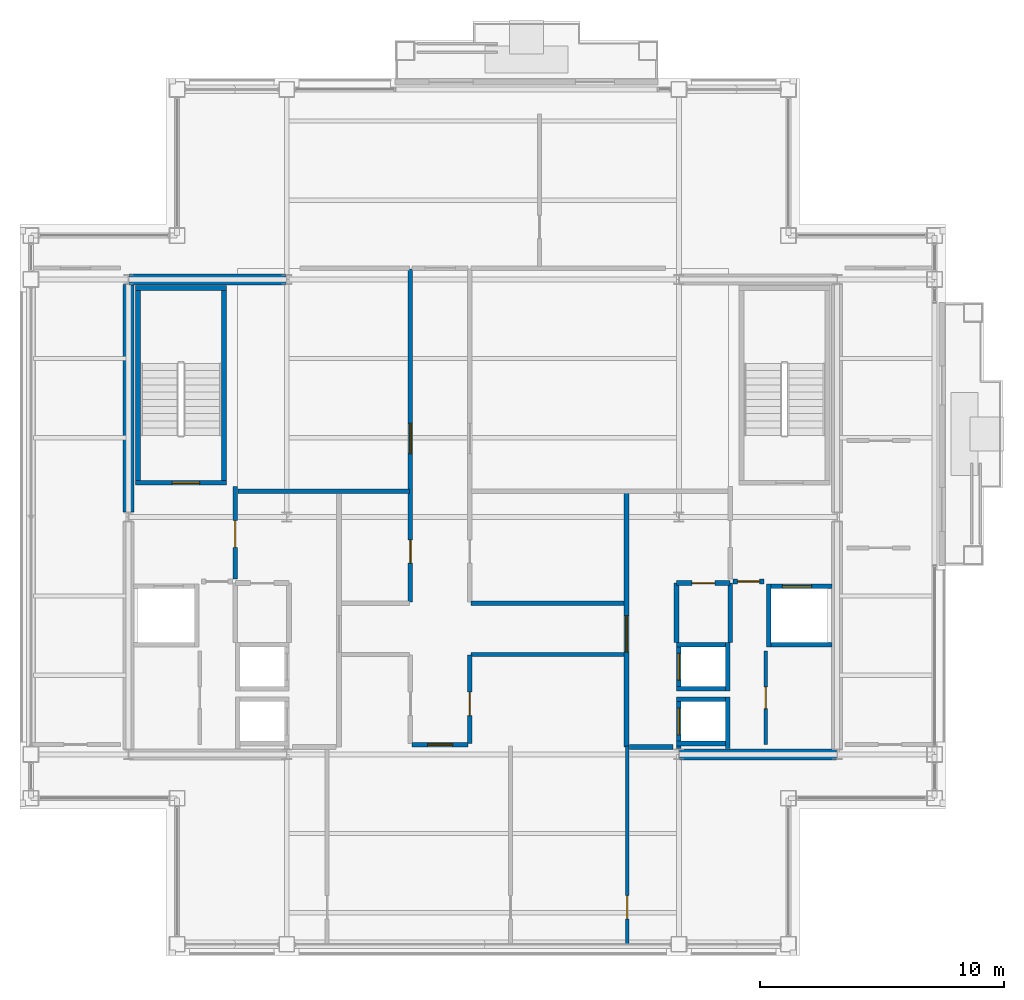
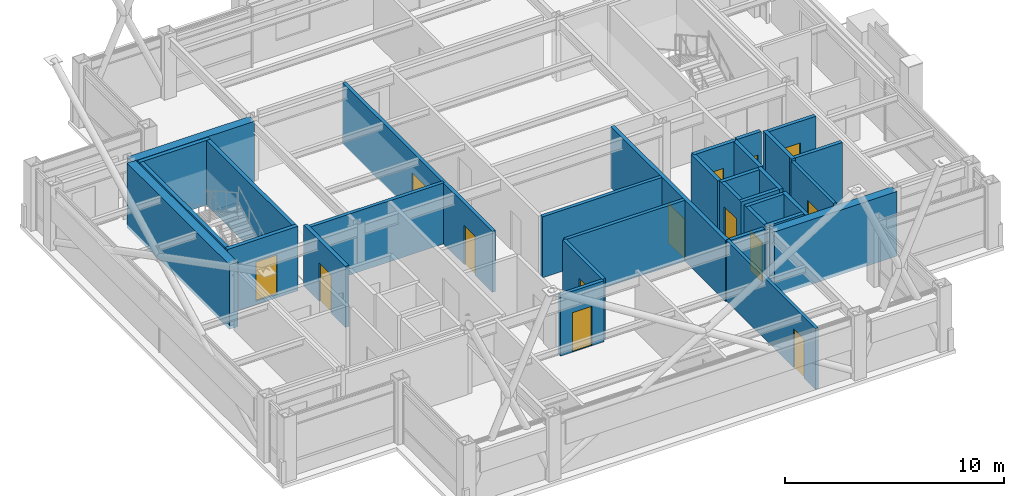
# One storey, part 26 of 30: 33 walls, 14 doors, 14 openings.
"""IFC4 building model written with IfcOpenShell, lengths in metres."""

from ifc_helpers import new_model, si_unit, direction, frame, frame_2d, origin, place, context, subcontext, project, spatial, rectangle, extrude, material, layer, layer_set, type_object, element, fill, save


model = new_model("IFC4")

# Units and contexts
model_context = context("Model", 3, precision=1e-05, world=origin(), true_north=direction((0.0, 1.0)))
body_context = subcontext(model_context, "Body", "Model", "MODEL_VIEW")
ifc_project = project(units=[si_unit("LENGTHUNIT", "METRE"), si_unit("AREAUNIT", "SQUARE_METRE"), si_unit("VOLUMEUNIT", "CUBIC_METRE"), si_unit("PLANEANGLEUNIT", "RADIAN"), si_unit("MASSUNIT", "GRAM", prefix="KILO")], contexts=[model_context])

# Site, building, storey
site_placement = place(None, origin())
site = spatial("IfcSite", under=ifc_project, at=site_placement, CompositionType="ELEMENT")
building_placement = place(site_placement, origin())
building = spatial("IfcBuilding", under=site, at=building_placement, Name="Brelmoor Portico Tower", CompositionType="ELEMENT")
storey_placement = place(building_placement, frame((0.0, 0.0, 236.39990234375)))
storey = spatial("IfcBuildingStorey", under=building, at=storey_placement, Name="L62", CompositionType="ELEMENT", Elevation=236.39990234375)

# Walls
ifc_material_1 = material(Name="Concrete C50", Category="concrete")
ifc_layer_1 = layer(ifc_material_1, 0.449951171875)
ifc_layer_set_1 = layer_set([ifc_layer_1], Name="Concrete C50")
wall_type_1 = type_object("IfcWallType", Name="WL-CORE-450", PredefinedType="SHEAR", material=ifc_layer_set_1)
wall_1_placement = place(storey_placement, frame((-14.530029296875, 9.75, -0.199951171875), z_axis=(0.0, 0.0, 1.0), x_axis=(1.0, 0.0, 0.0)))
element("IfcWall", 1, at=wall_1_placement, inside=storey, type_object=wall_type_1, Name="L62 WC North Shear Wall", PredefinedType="SHEAR", context=body_context, shape_type="SweptSolid", body=[
    extrude(rectangle(XDim=6.4599609375, YDim=0.449951171875, at=frame_2d((3.22998046875, 0.0))), origin(), (0.0, 0.0, 1.0), 3.60009765625),
])
wall_2_placement = place(storey_placement, frame((-14.550048828125, 0.199951171875, -0.199951171875), z_axis=(0.0, 0.0, 1.0), x_axis=(0.0, 1.0, 0.0)))
element("IfcWall", 2, at=wall_2_placement, inside=storey, type_object=wall_type_1, Name="L62 WC Outer North Shear Wall", PredefinedType="SHEAR", context=body_context, shape_type="SweptSolid", body=[
    extrude(rectangle(XDim=9.35009765625, YDim=0.449951171875, at=frame_2d((4.675048828125, 0.0))), origin(), (0.0, 0.0, 1.0), 3.60009765625),
])
wall_3_placement = place(storey_placement, frame((8.070068359375, -9.75, -0.199951171875), z_axis=(0.0, 0.0, 1.0), x_axis=(1.0, 0.0, 0.0)))
element("IfcWall", 3, at=wall_3_placement, inside=storey, type_object=wall_type_1, Name="L62 EC South Shear Wall", PredefinedType="SHEAR", context=body_context, shape_type="SweptSolid", body=[
    extrude(rectangle(XDim=6.4599609375, YDim=0.449951171875, at=frame_2d((3.22998046875, 0.0))), origin(), (0.0, 0.0, 1.0), 3.60009765625),
])

# Wall, opening, door
ifc_material_2 = material(Name="Twin-Frame Acoustic Partition", Category="gypsum")
ifc_layer_2 = layer(ifc_material_2, 0.159912109375)
ifc_layer_set_2 = layer_set([ifc_layer_2], Name="Twin-Frame Acoustic Partition")
wall_type_2 = type_object("IfcWallType", Name="WL-PART-160", PredefinedType="PARTITIONING", material=ifc_layer_set_2)
wall_4_placement = place(storey_placement, frame((11.6201171875, -9.35009765625, 0.0), z_axis=(0.0, 0.0, 1.0), x_axis=(0.0, 1.0, 0.0)))
wall_4 = element("IfcWall", 4, at=wall_4_placement, inside=storey, type_object=wall_type_2, Name="L62 E Core Service Front Wall", PredefinedType="PARTITIONING", context=body_context, shape_type="SweptSolid", body=[
    extrude(rectangle(XDim=3.85009765625, YDim=0.159912109375, at=frame_2d((1.925048828125, 0.0))), origin(), (0.0, 0.0, 1.0), 3.400146484375),
])
opening_1_placement = place(wall_4_placement, frame((1.47509765625, 0.0, 0.0)))
opening_1 = element("IfcOpeningElement", 5, at=opening_1_placement, cuts=wall_4, Name="Opening D-IN1", PredefinedType="OPENING", context=body_context, shape_type="SweptSolid", body=[
    extrude(rectangle(XDim=0.89990234375, YDim=2.14990234375, at=frame_2d((0.449951171875, 1.074951171875))), frame((0.0, 0.08984375, 0.0), z_axis=(0.0, -1.0, 0.0), x_axis=(1.0, 0.0, 0.0)), (0.0, 0.0, 1.0), 0.179931640625),
])
ifc_material_3 = material(Name="Lacquered Timber Suite Door", Category="wood")
door_type_1 = type_object("IfcDoorType", Name="DR-INT-900", OperationType="NOTDEFINED", PredefinedType="DOOR", material=ifc_material_3)
door_1_placement = place(opening_1_placement, origin())
door_1 = element("IfcDoor", 6, at=door_1_placement, inside=storey, type_object=door_type_1, Name="D-2559 L62 E Male WC Door", OperationType="SINGLE_SWING_LEFT", OverallHeight=2.14990234375, OverallWidth=0.89990234375, PredefinedType="DOOR", context=body_context, shape_type="SweptSolid", body=[
    extrude(rectangle(XDim=0.89990234375, YDim=2.14990234375, at=frame_2d((0.449951171875, 1.074951171875))), frame((0.0, 0.02490234375, 0.0), z_axis=(0.0, -1.0, 0.0), x_axis=(1.0, 0.0, 0.0)), (0.0, 0.0, 1.0), 0.050048828125),
])
fill(opening_1, door_1)

wall_5_placement = place(storey_placement, frame((5.93310546875, -17.56005859375, 0.0), z_axis=(0.0, 0.0, 1.0), x_axis=(0.0, 1.0, 0.0)))
wall_5 = element("IfcWall", 7, at=wall_5_placement, inside=storey, type_object=wall_type_2, Name="L62 South Suite Partition 3", PredefinedType="PARTITIONING", context=body_context, shape_type="SweptSolid", body=[
    extrude(rectangle(XDim=8.150146484375, YDim=0.159912109375, at=frame_2d((4.0751953125, 0.0))), origin(), (0.0, 0.0, 1.0), 3.400146484375),
])
opening_2_placement = place(wall_5_placement, frame((1.050048828125, 0.0, 0.0)))
opening_2 = element("IfcOpeningElement", 8, at=opening_2_placement, cuts=wall_5, Name="Opening D-IN2", PredefinedType="OPENING", context=body_context, shape_type="SweptSolid", body=[
    extrude(rectangle(XDim=0.9599609375, YDim=2.179931640625, at=frame_2d((0.47998046875, 1.08984375))), frame((0.0, 0.08984375, 0.0), z_axis=(0.0, -1.0, 0.0), x_axis=(1.0, 0.0, 0.0)), (0.0, 0.0, 1.0), 0.179931640625),
])
door_type_2 = type_object("IfcDoorType", Name="DR-INT-950", OperationType="NOTDEFINED", PredefinedType="DOOR", material=ifc_material_3)
door_2_placement = place(opening_2_placement, origin())
door_2 = element("IfcDoor", 9, at=door_2_placement, inside=storey, type_object=door_type_2, Name="D-2576 L62 South Suite Connecting Door 3", OperationType="SINGLE_SWING_RIGHT", OverallHeight=2.179931640625, OverallWidth=0.9599609375, PredefinedType="DOOR", context=body_context, shape_type="SweptSolid", body=[
    extrude(rectangle(XDim=0.9599609375, YDim=2.179931640625, at=frame_2d((0.47998046875, 1.08984375))), frame((0.0, 0.02490234375, 0.0), z_axis=(0.0, -1.0, 0.0), x_axis=(1.0, 0.0, 0.0)), (0.0, 0.0, 1.0), 0.050048828125),
])
fill(opening_2, door_2)

# Wall
ifc_material_4 = material(Name="Acoustic Corridor Fire Partition", Category="gypsum")
ifc_layer_3 = layer(ifc_material_4, 0.179931640625)
ifc_layer_set_3 = layer_set([ifc_layer_3], Name="Acoustic Corridor Fire Partition")
wall_type_3 = type_object("IfcWallType", Name="WL-PART-180", PredefinedType="PARTITIONING", material=ifc_layer_set_3)
wall_6_placement = place(storey_placement, frame((-10.050048828125, 1.050048828125, 0.0), z_axis=(0.0, 0.0, 1.0), x_axis=(1.0, 0.0, 0.0)))
element("IfcWall", 10, at=wall_6_placement, inside=storey, type_object=wall_type_3, Name="L62 West Reclaimed Suite South Wall", PredefinedType="PARTITIONING", context=body_context, shape_type="SweptSolid", body=[
    extrude(rectangle(XDim=7.0400390625, YDim=0.179931640625, at=frame_2d((3.52001953125, 0.0))), origin(), (0.0, 0.0, 1.0), 3.400146484375),
])

# Wall, openings, doors
wall_7_placement = place(storey_placement, frame((-2.969970703125, -3.5, 0.0), z_axis=(0.0, 0.0, 1.0), x_axis=(0.0, 1.0, 0.0)))
wall_7 = element("IfcWall", 11, at=wall_7_placement, inside=storey, type_object=wall_type_3, Name="L62 Central Cross West Wall", PredefinedType="PARTITIONING", context=body_context, shape_type="SweptSolid", body=[
    extrude(rectangle(XDim=13.669921875, YDim=0.179931640625, at=frame_2d((6.8349609375, 0.0))), origin(), (0.0, 0.0, 1.0), 3.400146484375),
])
opening_3_placement = place(wall_7_placement, frame((6.10009765625, 0.0, 0.0)))
opening_3 = element("IfcOpeningElement", 12, at=opening_3_placement, cuts=wall_7, Name="Opening D-SU1", PredefinedType="OPENING", context=body_context, shape_type="SweptSolid", body=[
    extrude(rectangle(XDim=1.239990234375, YDim=2.239990234375, at=frame_2d((0.6201171875, 1.1201171875))), frame((0.0, 0.099853515625, 0.0), z_axis=(0.0, -1.0, 0.0), x_axis=(1.0, 0.0, 0.0)), (0.0, 0.0, 1.0), 0.199951171875),
])
opening_4_placement = place(wall_7_placement, frame((1.60009765625, 0.0, 0.0)))
opening_4 = element("IfcOpeningElement", 13, at=opening_4_placement, cuts=wall_7, Name="Opening D-IN2", PredefinedType="OPENING", context=body_context, shape_type="SweptSolid", body=[
    extrude(rectangle(XDim=0.9599609375, YDim=2.179931640625, at=frame_2d((0.47998046875, 1.08984375))), frame((0.0, 0.099853515625, 0.0), z_axis=(0.0, -1.0, 0.0), x_axis=(1.0, 0.0, 0.0)), (0.0, 0.0, 1.0), 0.199951171875),
])
door_3_placement = place(opening_4_placement, origin())
door_3 = element("IfcDoor", 14, at=door_3_placement, inside=storey, type_object=door_type_2, Name="D-2557 L62 Staff Pantry Door", OperationType="SINGLE_SWING_LEFT", OverallHeight=2.179931640625, OverallWidth=0.9599609375, PredefinedType="DOOR", context=body_context, shape_type="SweptSolid", body=[
    extrude(rectangle(XDim=0.9599609375, YDim=2.179931640625, at=frame_2d((0.47998046875, 1.08984375))), frame((0.0, 0.02490234375, 0.0), z_axis=(0.0, -1.0, 0.0), x_axis=(1.0, 0.0, 0.0)), (0.0, 0.0, 1.0), 0.050048828125),
])
fill(opening_4, door_3)
ifc_material_5 = material(Name="Glazed Timber Executive Suite Door", Category="wood")
door_type_3 = type_object("IfcDoorType", Name="DR-SUITE-1200", OperationType="NOTDEFINED", PredefinedType="DOOR", material=ifc_material_5)
door_4_placement = place(opening_3_placement, origin())
door_4 = element("IfcDoor", 15, at=door_4_placement, inside=storey, type_object=door_type_3, Name="D-2558 L62 West Reclaimed Studio Door", OperationType="SINGLE_SWING_RIGHT", OverallHeight=2.239990234375, OverallWidth=1.239990234375, PredefinedType="DOOR", context=body_context, shape_type="SweptSolid", body=[
    extrude(rectangle(XDim=1.239990234375, YDim=2.239990234375, at=frame_2d((0.6201171875, 1.1201171875))), frame((0.0, 0.02490234375, 0.0), z_axis=(0.0, -1.0, 0.0), x_axis=(1.0, 0.0, 0.0)), (0.0, 0.0, 1.0), 0.050048828125),
])
fill(opening_3, door_4)

# Wall
wall_8_placement = place(storey_placement, frame((-0.489990234375, -3.550048828125, 0.0), z_axis=(0.0, 0.0, 1.0), x_axis=(1.0, 0.0, 0.0)))
element("IfcWall", 16, at=wall_8_placement, inside=storey, type_object=wall_type_3, Name="L62 East Office South Wall", PredefinedType="PARTITIONING", context=body_context, shape_type="SweptSolid", body=[
    extrude(rectangle(XDim=6.2900390625, YDim=0.179931640625, at=frame_2d((3.14501953125, 0.0))), origin(), (0.0, 0.0, 1.0), 3.400146484375),
])

# Wall, opening, door
wall_9_placement = place(storey_placement, frame((-0.530029296875, -9.31005859375, 0.0), z_axis=(0.0, 0.0, 1.0), x_axis=(0.0, 1.0, 0.0)))
wall_9 = element("IfcWall", 17, at=wall_9_placement, inside=storey, type_object=wall_type_3, Name="L62 South Cross East Wall", PredefinedType="PARTITIONING", context=body_context, shape_type="SweptSolid", body=[
    extrude(rectangle(XDim=3.630126953125, YDim=0.179931640625, at=frame_2d((1.81494140625, 0.0))), origin(), (0.0, 0.0, 1.0), 3.400146484375),
])
opening_5_placement = place(wall_9_placement, frame((1.14990234375, 0.0, 0.0)))
opening_5 = element("IfcOpeningElement", 18, at=opening_5_placement, cuts=wall_9, Name="Opening D-IN2", PredefinedType="OPENING", context=body_context, shape_type="SweptSolid", body=[
    extrude(rectangle(XDim=0.9599609375, YDim=2.179931640625, at=frame_2d((0.47998046875, 1.08984375))), frame((0.0, 0.099853515625, 0.0), z_axis=(0.0, -1.0, 0.0), x_axis=(1.0, 0.0, 0.0)), (0.0, 0.0, 1.0), 0.199951171875),
])
door_5_placement = place(opening_5_placement, origin())
door_5 = element("IfcDoor", 19, at=door_5_placement, inside=storey, type_object=door_type_2, Name="D-2555 L62 South-East Partner Office Door", OperationType="SINGLE_SWING_LEFT", OverallHeight=2.179931640625, OverallWidth=0.9599609375, PredefinedType="DOOR", context=body_context, shape_type="SweptSolid", body=[
    extrude(rectangle(XDim=0.9599609375, YDim=2.179931640625, at=frame_2d((0.47998046875, 1.08984375))), frame((0.0, 0.02490234375, 0.0), z_axis=(0.0, -1.0, 0.0), x_axis=(1.0, 0.0, 0.0)), (0.0, 0.0, 1.0), 0.050048828125),
])
fill(opening_5, door_5)

# Wall
wall_10_placement = place(storey_placement, frame((-0.489990234375, -5.64990234375, 0.0), z_axis=(0.0, 0.0, 1.0), x_axis=(1.0, 0.0, 0.0)))
element("IfcWall", 20, at=wall_10_placement, inside=storey, type_object=wall_type_3, Name="L62 South-East Chamber Top Wall", PredefinedType="PARTITIONING", context=body_context, shape_type="SweptSolid", body=[
    extrude(rectangle(XDim=6.2900390625, YDim=0.179931640625, at=frame_2d((3.14501953125, 0.0))), origin(), (0.0, 0.0, 1.0), 3.400146484375),
])

# Wall, opening, door
wall_11_placement = place(storey_placement, frame((-2.89990234375, -9.35009765625, 0.0), z_axis=(0.0, 0.0, 1.0), x_axis=(1.0, 0.0, 0.0)))
wall_11 = element("IfcWall", 21, at=wall_11_placement, inside=storey, type_object=wall_type_3, Name="L62 South Corridor Partition", PredefinedType="PARTITIONING", context=body_context, shape_type="SweptSolid", body=[
    extrude(rectangle(XDim=2.2998046875, YDim=0.179931640625, at=frame_2d((1.14990234375, 0.0))), origin(), (0.0, 0.0, 1.0), 3.400146484375),
])
opening_6_placement = place(wall_11_placement, frame((0.639892578125, 0.0, 0.0)))
opening_6 = element("IfcOpeningElement", 22, at=opening_6_placement, cuts=wall_11, Name="Opening D-OF1", PredefinedType="OPENING", context=body_context, shape_type="SweptSolid", body=[
    extrude(rectangle(XDim=1.02001953125, YDim=2.199951171875, at=frame_2d((0.510009765625, 1.10009765625))), frame((0.0, 0.099853515625, 0.0), z_axis=(0.0, -1.0, 0.0), x_axis=(1.0, 0.0, 0.0)), (0.0, 0.0, 1.0), 0.199951171875),
])
ifc_material_6 = material(Name="Hardwood Acoustic Veneer Door", Category="wood")
door_type_4 = type_object("IfcDoorType", Name="DR-OFFICE-1000", OperationType="NOTDEFINED", PredefinedType="DOOR", material=ifc_material_6)
door_6_placement = place(opening_6_placement, origin())
door_6 = element("IfcDoor", 23, at=door_6_placement, inside=storey, type_object=door_type_4, Name="D-2573 L62 South Technical Storage 2 Door", OperationType="SINGLE_SWING_LEFT", OverallHeight=2.199951171875, OverallWidth=1.02001953125, PredefinedType="DOOR", context=body_context, shape_type="SweptSolid", body=[
    extrude(rectangle(XDim=1.02001953125, YDim=2.199951171875, at=frame_2d((0.510009765625, 1.10009765625))), frame((0.0, 0.02490234375, 0.0), z_axis=(0.0, -1.0, 0.0), x_axis=(1.0, 0.0, 0.0)), (0.0, 0.0, 1.0), 0.050048828125),
])
fill(opening_6, door_6)

ifc_material_7 = material(Name="Double-Stud Gypsum Fire Partition", Category="gypsum")
ifc_layer_4 = layer(ifc_material_7, 0.199951171875)
ifc_layer_set_4 = layer_set([ifc_layer_4], Name="Double-Stud Gypsum Fire Partition")
wall_type_4 = type_object("IfcWallType", Name="WL-PART-200", PredefinedType="PARTITIONING", material=ifc_layer_set_4)
wall_12_placement = place(storey_placement, frame((-10.159912109375, -2.550048828125, 0.0), z_axis=(0.0, 0.0, 1.0), x_axis=(0.0, 1.0, 0.0)))
wall_12 = element("IfcWall", 24, at=wall_12_placement, inside=storey, type_object=wall_type_4, Name="L62 W Firefighting Lobby Wall", PredefinedType="PARTITIONING", context=body_context, shape_type="SweptSolid", body=[
    extrude(rectangle(XDim=3.800048828125, YDim=0.199951171875, at=frame_2d((1.89990234375, 0.0))), origin(), (0.0, 0.0, 1.0), 3.400146484375),
])
opening_7_placement = place(wall_12_placement, frame((1.300048828125, 0.0, 0.0)))
opening_7 = element("IfcOpeningElement", 25, at=opening_7_placement, cuts=wall_12, Name="Opening D-FR1", PredefinedType="OPENING", context=body_context, shape_type="SweptSolid", body=[
    extrude(rectangle(XDim=1.10009765625, YDim=2.14990234375, at=frame_2d((0.550048828125, 1.074951171875))), frame((0.0, 0.10986328125, 0.0), z_axis=(0.0, -1.0, 0.0), x_axis=(1.0, 0.0, 0.0)), (0.0, 0.0, 1.0), 0.219970703125),
])
ifc_material_8 = material(Name="Painted Galvanised Steel Fire Door", Category="steel")
door_type_5 = type_object("IfcDoorType", Name="DR-FIRE-1100", OperationType="NOTDEFINED", PredefinedType="DOOR", material=ifc_material_8)
door_7_placement = place(opening_7_placement, origin())
door_7 = element("IfcDoor", 26, at=door_7_placement, inside=storey, type_object=door_type_5, Name="D-2566 L62 W Firefighting Lobby Door", OperationType="SINGLE_SWING_RIGHT", OverallHeight=2.14990234375, OverallWidth=1.10009765625, PredefinedType="DOOR", context=body_context, shape_type="SweptSolid", body=[
    extrude(rectangle(XDim=1.10009765625, YDim=2.14990234375, at=frame_2d((0.550048828125, 1.074951171875))), frame((0.0, 0.02490234375, 0.0), z_axis=(0.0, -1.0, 0.0), x_axis=(1.0, 0.0, 0.0)), (0.0, 0.0, 1.0), 0.050048828125),
])
fill(opening_7, door_7)

wall_13_placement = place(storey_placement, frame((5.89990234375, -9.449951171875, 0.0), z_axis=(0.0, 0.0, 1.0), x_axis=(0.0, 1.0, 0.0)))
wall_13 = element("IfcWall", 27, at=wall_13_placement, inside=storey, type_object=wall_type_4, Name="L62 E Core Lobby Compartment Wall", PredefinedType="PARTITIONING", context=body_context, shape_type="SweptSolid", body=[
    extrude(rectangle(XDim=10.5, YDim=0.199951171875, at=frame_2d((5.25, 0.0))), origin(), (0.0, 0.0, 1.0), 3.400146484375),
])
opening_8_placement = place(wall_13_placement, frame((3.89990234375, 0.0, 0.0)))
opening_8 = element("IfcOpeningElement", 28, at=opening_8_placement, cuts=wall_13, Name="Opening D-LB1", PredefinedType="OPENING", context=body_context, shape_type="SweptSolid", body=[
    extrude(rectangle(XDim=1.5, YDim=2.199951171875, at=frame_2d((0.75, 1.10009765625))), frame((0.0, 0.10986328125, 0.0), z_axis=(0.0, -1.0, 0.0), x_axis=(1.0, 0.0, 0.0)), (0.0, 0.0, 1.0), 0.219970703125),
])
ifc_material_9 = material(Name="Double-Leaf Glazed Steel Fire Door", Category="steel")
door_type_6 = type_object("IfcDoorType", Name="DR-LOBBY-1500", OperationType="NOTDEFINED", PredefinedType="DOOR", material=ifc_material_9)
door_8_placement = place(opening_8_placement, origin())
door_8 = element("IfcDoor", 29, at=door_8_placement, inside=storey, type_object=door_type_6, Name="D-2567 L62 E Lift Lobby Main Door", OperationType="DOUBLE_DOOR_SINGLE_SWING", OverallHeight=2.199951171875, OverallWidth=1.5, PredefinedType="DOOR", context=body_context, shape_type="SweptSolid", body=[
    extrude(rectangle(XDim=1.5, YDim=2.199951171875, at=frame_2d((0.75, 1.10009765625))), frame((0.0, 0.02490234375, 0.0), z_axis=(0.0, -1.0, 0.0), x_axis=(1.0, 0.0, 0.0)), (0.0, 0.0, 1.0), 0.050048828125),
])
fill(opening_8, door_8)

# Wall
wall_14_placement = place(storey_placement, frame((6.02001953125, -9.449951171875, 0.0), z_axis=(0.0, 0.0, 1.0), x_axis=(1.0, 0.0, 0.0)))
element("IfcWall", 30, at=wall_14_placement, inside=storey, type_object=wall_type_4, Name="L62 E Lift Lobby South End Wall", PredefinedType="PARTITIONING", context=body_context, shape_type="SweptSolid", body=[
    extrude(rectangle(XDim=1.800048828125, YDim=0.199951171875, at=frame_2d((0.89990234375, 0.0))), origin(), (0.0, 0.0, 1.0), 3.400146484375),
])

# Wall, opening, door
wall_15_placement = place(storey_placement, frame((10.280029296875, -2.64990234375, 0.0), z_axis=(0.0, 0.0, 1.0), x_axis=(1.0, 0.0, 0.0)))
wall_15 = element("IfcWall", 31, at=wall_15_placement, inside=storey, type_object=wall_type_4, Name="L62 E Firefighting Lobby South Wall", PredefinedType="PARTITIONING", context=body_context, shape_type="SweptSolid", body=[
    extrude(rectangle(XDim=1.27001953125, YDim=0.199951171875, at=frame_2d((0.635009765625, 0.0))), origin(), (0.0, 0.0, 1.0), 3.400146484375),
])
opening_9_placement = place(wall_15_placement, frame((0.18505859375, 0.0, 0.0)))
opening_9 = element("IfcOpeningElement", 32, at=opening_9_placement, cuts=wall_15, Name="Opening D-IN1", PredefinedType="OPENING", context=body_context, shape_type="SweptSolid", body=[
    extrude(rectangle(XDim=0.89990234375, YDim=2.14990234375, at=frame_2d((0.449951171875, 1.074951171875))), frame((0.0, 0.10986328125, 0.0), z_axis=(0.0, -1.0, 0.0), x_axis=(1.0, 0.0, 0.0)), (0.0, 0.0, 1.0), 0.219970703125),
])
door_9_placement = place(opening_9_placement, origin())
door_9 = element("IfcDoor", 33, at=door_9_placement, inside=storey, type_object=door_type_1, Name="D-2560 L62 E Core Service Vestibule Door", OperationType="SINGLE_SWING_LEFT", OverallHeight=2.14990234375, OverallWidth=0.89990234375, PredefinedType="DOOR", context=body_context, shape_type="SweptSolid", body=[
    extrude(rectangle(XDim=0.89990234375, YDim=2.14990234375, at=frame_2d((0.449951171875, 1.074951171875))), frame((0.0, 0.02490234375, 0.0), z_axis=(0.0, -1.0, 0.0), x_axis=(1.0, 0.0, 0.0)), (0.0, 0.0, 1.0), 0.050048828125),
])
fill(opening_9, door_9)

wall_16_placement = place(storey_placement, frame((7.9599609375, -2.719970703125, 0.0), z_axis=(0.0, 0.0, 1.0), x_axis=(1.0, 0.0, 0.0)))
wall_16 = element("IfcWall", 34, at=wall_16_placement, inside=storey, type_object=wall_type_4, Name="L62 E Electrical Switchgear Closet Wall", PredefinedType="PARTITIONING", context=body_context, shape_type="SweptSolid", body=[
    extrude(rectangle(XDim=2.199951171875, YDim=0.199951171875, at=frame_2d((1.10009765625, 0.0))), origin(), (0.0, 0.0, 1.0), 3.400146484375),
])
opening_10_placement = place(wall_16_placement, frame((0.6201171875, 0.0, 0.0)))
opening_10 = element("IfcOpeningElement", 35, at=opening_10_placement, cuts=wall_16, Name="Opening D-FR4", PredefinedType="OPENING", context=body_context, shape_type="SweptSolid", body=[
    extrude(rectangle(XDim=0.949951171875, YDim=2.10009765625, at=frame_2d((0.47509765625, 1.050048828125))), frame((0.0, 0.10986328125, 0.0), z_axis=(0.0, -1.0, 0.0), x_axis=(1.0, 0.0, 0.0)), (0.0, 0.0, 1.0), 0.219970703125),
])
ifc_material_10 = material(Name="Painted Galvanised Steel Riser Door", Category="steel")
door_type_7 = type_object("IfcDoorType", Name="DR-FIRE-950", OperationType="NOTDEFINED", PredefinedType="DOOR", material=ifc_material_10)
door_10_placement = place(opening_10_placement, origin())
door_10 = element("IfcDoor", 36, at=door_10_placement, inside=storey, type_object=door_type_7, Name="D-2563 L62 E Electrical Switchgear Closet Door", OperationType="SINGLE_SWING_RIGHT", OverallHeight=2.10009765625, OverallWidth=0.949951171875, PredefinedType="DOOR", context=body_context, shape_type="SweptSolid", body=[
    extrude(rectangle(XDim=0.949951171875, YDim=2.10009765625, at=frame_2d((0.47509765625, 1.050048828125))), frame((0.0, 0.02490234375, 0.0), z_axis=(0.0, -1.0, 0.0), x_axis=(1.0, 0.0, 0.0)), (0.0, 0.0, 1.0), 0.050048828125),
])
fill(opening_10, door_10)

# Walls
for number, where, z_axis, x_axis, name in (
    (37, (7.9599609375, -5.159912109375, 0.0), (0.0, 0.0, 1.0), (0.0, 1.0, 0.0), "L62 E Electrical Switchgear Closet Inner Wall"),
    (38, (10.159912109375, -5.159912109375, 0.0), (0.0, 0.0, 1.0), (0.0, 1.0, 0.0), "L62 E Electrical Switchgear Closet Outer Wall"),
):
    element("IfcWall", number, at=place(storey_placement, frame(where, z_axis=z_axis, x_axis=x_axis)), inside=storey, type_object=wall_type_4, Name=name, PredefinedType="PARTITIONING", context=body_context, shape_type="SweptSolid", body=[
        extrude(rectangle(XDim=2.43994140625, YDim=0.199951171875, at=frame_2d((1.219970703125, 0.0))), origin(), (0.0, 0.0, 1.0), 3.400146484375),
    ])

# Wall, opening, door
ifc_material_11 = material(Name="Precast Concrete C40", Category="concrete")
ifc_layer_5 = layer(ifc_material_11, 0.18994140625)
ifc_layer_set_5 = layer_set([ifc_layer_5], Name="Precast Concrete C40")
wall_type_5 = type_object("IfcWallType", Name="WL-SHAFT-180", PredefinedType="SOLIDWALL", material=ifc_layer_set_5)
wall_17_placement = place(storey_placement, frame((8.044921875, -9.52001953125, -0.199951171875), z_axis=(0.0, 0.0, 1.0), x_axis=(0.0, 1.0, 0.0)))
wall_17 = element("IfcWall", 39, at=wall_17_placement, inside=storey, type_object=wall_type_5, Name="L62 Lift PH3 Hoistway Front Wall", PredefinedType="SOLIDWALL", context=body_context, shape_type="SweptSolid", body=[
    extrude(rectangle(XDim=2.1201171875, YDim=0.18994140625, at=frame_2d((1.06005859375, 0.0))), origin(), (0.0, 0.0, 1.0), 3.60009765625),
])
opening_11_placement = place(wall_17_placement, frame((0.570068359375, 0.0, 0.199951171875)))
opening_11 = element("IfcOpeningElement", 40, at=opening_11_placement, cuts=wall_17, Name="Opening LD-01", PredefinedType="OPENING", context=body_context, shape_type="SweptSolid", body=[
    extrude(rectangle(XDim=1.10009765625, YDim=2.199951171875, at=frame_2d((0.550048828125, 1.10009765625))), frame((0.0, 0.10498046875, 0.0), z_axis=(0.0, -1.0, 0.0), x_axis=(1.0, 0.0, 0.0)), (0.0, 0.0, 1.0), 0.2099609375),
])
ifc_material_12 = material(Name="Brushed Stainless Steel Sliding Lift Door", Category="steel")
door_type_8 = type_object("IfcDoorType", Name="DR-LIFT-1100", OperationType="NOTDEFINED", PredefinedType="DOOR", material=ifc_material_12)
door_11_placement = place(opening_11_placement, origin())
door_11 = element("IfcDoor", 41, at=door_11_placement, inside=storey, type_object=door_type_8, Name="D-2589 L62 Lift PH3 Sliding Landing Door", OperationType="SLIDING_TO_LEFT", OverallHeight=2.199951171875, OverallWidth=1.10009765625, PredefinedType="DOOR", context=body_context, shape_type="SweptSolid", body=[
    extrude(rectangle(XDim=1.10009765625, YDim=2.199951171875, at=frame_2d((0.550048828125, 1.10009765625))), frame((0.0, 0.02490234375, 0.0), z_axis=(0.0, -1.0, 0.0), x_axis=(1.0, 0.0, 0.0)), (0.0, 0.0, 1.0), 0.050048828125),
])
fill(opening_11, door_11)

# Walls
wall_18_placement = place(storey_placement, frame((10.054931640625, -9.52001953125, -0.199951171875), z_axis=(0.0, 0.0, 1.0), x_axis=(0.0, 1.0, 0.0)))
element("IfcWall", 42, at=wall_18_placement, inside=storey, type_object=wall_type_5, Name="L62 Lift PH3 Hoistway Back Wall", PredefinedType="SOLIDWALL", context=body_context, shape_type="SweptSolid", body=[
    extrude(rectangle(XDim=2.1201171875, YDim=0.18994140625, at=frame_2d((1.06005859375, 0.0))), origin(), (0.0, 0.0, 1.0), 3.60009765625),
])
for number, where, z_axis, x_axis, name in (
    (43, (7.949951171875, -7.4951171875, -0.199951171875), (0.0, 0.0, 1.0), (1.0, 0.0, 0.0), "L62 Lift PH3 Hoistway North Wall"),
    (44, (7.949951171875, -9.304931640625, -0.199951171875), (0.0, 0.0, 1.0), (1.0, 0.0, 0.0), "L62 Lift PH3 Hoistway South Wall"),
):
    element("IfcWall", number, at=place(storey_placement, frame(where, z_axis=z_axis, x_axis=x_axis)), inside=storey, type_object=wall_type_5, Name=name, PredefinedType="SOLIDWALL", context=body_context, shape_type="SweptSolid", body=[
        extrude(rectangle(XDim=2.199951171875, YDim=0.18994140625, at=frame_2d((1.10009765625, 0.0))), origin(), (0.0, 0.0, 1.0), 3.60009765625),
    ])

# Wall, opening, door
wall_19_placement = place(storey_placement, frame((8.044921875, -7.14990234375, -0.199951171875), z_axis=(0.0, 0.0, 1.0), x_axis=(0.0, 1.0, 0.0)))
wall_19 = element("IfcWall", 45, at=wall_19_placement, inside=storey, type_object=wall_type_5, Name="L62 Lift PH4 Hoistway Front Wall", PredefinedType="SOLIDWALL", context=body_context, shape_type="SweptSolid", body=[
    extrude(rectangle(XDim=2.0, YDim=0.18994140625, at=frame_2d((1.0, 0.0))), origin(), (0.0, 0.0, 1.0), 3.60009765625),
])
opening_12_placement = place(wall_19_placement, frame((0.449951171875, 0.0, 0.199951171875)))
opening_12 = element("IfcOpeningElement", 46, at=opening_12_placement, cuts=wall_19, Name="Opening LD-01", PredefinedType="OPENING", context=body_context, shape_type="SweptSolid", body=[
    extrude(rectangle(XDim=1.10009765625, YDim=2.199951171875, at=frame_2d((0.550048828125, 1.10009765625))), frame((0.0, 0.10498046875, 0.0), z_axis=(0.0, -1.0, 0.0), x_axis=(1.0, 0.0, 0.0)), (0.0, 0.0, 1.0), 0.2099609375),
])
door_12_placement = place(opening_12_placement, origin())
door_12 = element("IfcDoor", 47, at=door_12_placement, inside=storey, type_object=door_type_8, Name="D-2590 L62 Lift PH4 Sliding Landing Door", OperationType="SLIDING_TO_LEFT", OverallHeight=2.199951171875, OverallWidth=1.10009765625, PredefinedType="DOOR", context=body_context, shape_type="SweptSolid", body=[
    extrude(rectangle(XDim=1.10009765625, YDim=2.199951171875, at=frame_2d((0.550048828125, 1.10009765625))), frame((0.0, 0.02490234375, 0.0), z_axis=(0.0, -1.0, 0.0), x_axis=(1.0, 0.0, 0.0)), (0.0, 0.0, 1.0), 0.050048828125),
])
fill(opening_12, door_12)

# Walls
wall_20_placement = place(storey_placement, frame((10.054931640625, -7.14990234375, -0.199951171875), z_axis=(0.0, 0.0, 1.0), x_axis=(0.0, 1.0, 0.0)))
element("IfcWall", 48, at=wall_20_placement, inside=storey, type_object=wall_type_5, Name="L62 Lift PH4 Hoistway Back Wall", PredefinedType="SOLIDWALL", context=body_context, shape_type="SweptSolid", body=[
    extrude(rectangle(XDim=2.0, YDim=0.18994140625, at=frame_2d((1.0, 0.0))), origin(), (0.0, 0.0, 1.0), 3.60009765625),
])
for number, where, z_axis, x_axis, name in (
    (49, (7.949951171875, -5.2451171875, -0.199951171875), (0.0, 0.0, 1.0), (1.0, 0.0, 0.0), "L62 Lift PH4 Hoistway North Wall"),
    (50, (7.949951171875, -7.054931640625, -0.199951171875), (0.0, 0.0, 1.0), (1.0, 0.0, 0.0), "L62 Lift PH4 Hoistway South Wall"),
):
    element("IfcWall", number, at=place(storey_placement, frame(where, z_axis=z_axis, x_axis=x_axis)), inside=storey, type_object=wall_type_5, Name=name, PredefinedType="SOLIDWALL", context=body_context, shape_type="SweptSolid", body=[
        extrude(rectangle(XDim=2.199951171875, YDim=0.18994140625, at=frame_2d((1.10009765625, 0.0))), origin(), (0.0, 0.0, 1.0), 3.60009765625),
    ])

# Wall, opening, door
wall_21_placement = place(storey_placement, frame((11.64990234375, -2.844970703125, -0.199951171875), z_axis=(0.0, 0.0, 1.0), x_axis=(1.0, 0.0, 0.0)))
wall_21 = element("IfcWall", 51, at=wall_21_placement, inside=storey, type_object=wall_type_5, Name="L62 Lift FF2 Hoistway Front Wall", PredefinedType="SOLIDWALL", context=body_context, shape_type="SweptSolid", body=[
    extrude(rectangle(XDim=2.68017578125, YDim=0.18994140625, at=frame_2d((1.340087890625, 0.0))), origin(), (0.0, 0.0, 1.0), 3.60009765625),
])
opening_13_placement = place(wall_21_placement, frame((0.64990234375, 0.0, 0.199951171875)))
opening_13 = element("IfcOpeningElement", 52, at=opening_13_placement, cuts=wall_21, Name="Opening LD-02", PredefinedType="OPENING", context=body_context, shape_type="SweptSolid", body=[
    extrude(rectangle(XDim=1.199951171875, YDim=2.199951171875, at=frame_2d((0.60009765625, 1.10009765625))), frame((0.0, 0.10498046875, 0.0), z_axis=(0.0, -1.0, 0.0), x_axis=(1.0, 0.0, 0.0)), (0.0, 0.0, 1.0), 0.2099609375),
])
ifc_material_13 = material(Name="Brushed Stainless Steel Firefighting Lift Door", Category="steel")
door_type_9 = type_object("IfcDoorType", Name="DR-LIFT-1200", OperationType="NOTDEFINED", PredefinedType="DOOR", material=ifc_material_13)
door_13_placement = place(opening_13_placement, origin())
door_13 = element("IfcDoor", 53, at=door_13_placement, inside=storey, type_object=door_type_9, Name="D-2586 L62 Lift FF2 Sliding Landing Door", OperationType="SLIDING_TO_LEFT", OverallHeight=2.199951171875, OverallWidth=1.199951171875, PredefinedType="DOOR", context=body_context, shape_type="SweptSolid", body=[
    extrude(rectangle(XDim=1.199951171875, YDim=2.199951171875, at=frame_2d((0.60009765625, 1.10009765625))), frame((0.0, 0.02490234375, 0.0), z_axis=(0.0, -1.0, 0.0), x_axis=(1.0, 0.0, 0.0)), (0.0, 0.0, 1.0), 0.050048828125),
])
fill(opening_13, door_13)

# Walls
wall_22_placement = place(storey_placement, frame((11.64990234375, -5.2548828125, -0.199951171875), z_axis=(0.0, 0.0, 1.0), x_axis=(1.0, 0.0, 0.0)))
element("IfcWall", 54, at=wall_22_placement, inside=storey, type_object=wall_type_5, Name="L62 Firefighting Lift FF2 South Wall", PredefinedType="SOLIDWALL", context=body_context, shape_type="SweptSolid", body=[
    extrude(rectangle(XDim=2.68017578125, YDim=0.18994140625, at=frame_2d((1.340087890625, 0.0))), origin(), (0.0, 0.0, 1.0), 3.60009765625),
])
wall_23_placement = place(storey_placement, frame((11.7451171875, -5.35009765625, -0.199951171875), z_axis=(0.0, 0.0, 1.0), x_axis=(0.0, 1.0, 0.0)))
element("IfcWall", 55, at=wall_23_placement, inside=storey, type_object=wall_type_5, Name="L62 Firefighting Lift FF2 Inner Wall", PredefinedType="SOLIDWALL", context=body_context, shape_type="SweptSolid", body=[
    extrude(rectangle(XDim=2.60009765625, YDim=0.18994140625, at=frame_2d((1.300048828125, 0.0))), origin(), (0.0, 0.0, 1.0), 3.60009765625),
])
ifc_material_14 = material(Name="Concrete C40", Category="concrete")
ifc_layer_6 = layer(ifc_material_14, 0.199951171875)
ifc_layer_set_6 = layer_set([ifc_layer_6], Name="Concrete C40")
wall_type_6 = type_object("IfcWallType", Name="WL-SHAFT-RC200", PredefinedType="SOLIDWALL", material=ifc_layer_set_6)
wall_24_placement = place(storey_placement, frame((-14.14990234375, 1.5, -0.199951171875), z_axis=(0.0, 0.0, 1.0), x_axis=(0.0, 1.0, 0.0)))
element("IfcWall", 56, at=wall_24_placement, inside=storey, type_object=wall_type_6, Name="L62 ST-W Structural Stair Wall Outer", PredefinedType="SOLIDWALL", context=body_context, shape_type="SweptSolid", body=[
    extrude(rectangle(XDim=7.800048828125, YDim=0.199951171875, at=frame_2d((3.89990234375, 0.0))), origin(), (0.0, 0.0, 1.0), 3.60009765625),
])

# Wall, opening, door
wall_25_placement = place(storey_placement, frame((-14.25, 1.39990234375, -0.199951171875), z_axis=(0.0, 0.0, 1.0), x_axis=(1.0, 0.0, 0.0)))
wall_25 = element("IfcWall", 57, at=wall_25_placement, inside=storey, type_object=wall_type_6, Name="L62 ST-W Structural Stair Wall S", PredefinedType="SOLIDWALL", context=body_context, shape_type="SweptSolid", body=[
    extrude(rectangle(XDim=3.719970703125, YDim=0.199951171875, at=frame_2d((1.85986328125, 0.0))), origin(), (0.0, 0.0, 1.0), 3.60009765625),
])
opening_14_placement = place(wall_25_placement, frame((1.5, 0.0, 0.199951171875)))
opening_14 = element("IfcOpeningElement", 58, at=opening_14_placement, cuts=wall_25, Name="Opening D-ST1", PredefinedType="OPENING", context=body_context, shape_type="SweptSolid", body=[
    extrude(rectangle(XDim=1.1201171875, YDim=2.179931640625, at=frame_2d((0.56005859375, 1.08984375))), frame((0.0, 0.10986328125, 0.0), z_axis=(0.0, -1.0, 0.0), x_axis=(1.0, 0.0, 0.0)), (0.0, 0.0, 1.0), 0.219970703125),
])
door_type_10 = type_object("IfcDoorType", Name="DR-STAIR-1100", OperationType="NOTDEFINED", PredefinedType="DOOR", material=ifc_material_8)
door_14_placement = place(opening_14_placement, origin())
door_14 = element("IfcDoor", 59, at=door_14_placement, inside=storey, type_object=door_type_10, Name="D-2578 L62 ST-W Protected Exit Stair Door", OperationType="SINGLE_SWING_LEFT", OverallHeight=2.179931640625, OverallWidth=1.1201171875, PredefinedType="DOOR", context=body_context, shape_type="SweptSolid", body=[
    extrude(rectangle(XDim=1.1201171875, YDim=2.179931640625, at=frame_2d((0.56005859375, 1.08984375))), frame((0.0, 0.02490234375, 0.0), z_axis=(0.0, -1.0, 0.0), x_axis=(1.0, 0.0, 0.0)), (0.0, 0.0, 1.0), 0.050048828125),
])
fill(opening_14, door_14)

# Walls
wall_26_placement = place(storey_placement, frame((-14.25, 9.39990234375, -0.199951171875), z_axis=(0.0, 0.0, 1.0), x_axis=(1.0, 0.0, 0.0)))
element("IfcWall", 60, at=wall_26_placement, inside=storey, type_object=wall_type_6, Name="L62 ST-W Structural Stair Wall N", PredefinedType="SOLIDWALL", context=body_context, shape_type="SweptSolid", body=[
    extrude(rectangle(XDim=3.719970703125, YDim=0.199951171875, at=frame_2d((1.85986328125, 0.0))), origin(), (0.0, 0.0, 1.0), 3.60009765625),
])
wall_27_placement = place(storey_placement, frame((-10.6298828125, 1.5, -0.199951171875), z_axis=(0.0, 0.0, 1.0), x_axis=(0.0, 1.0, 0.0)))
element("IfcWall", 61, at=wall_27_placement, inside=storey, type_object=wall_type_6, Name="L62 ST-W Structural Stair Wall Inner", PredefinedType="SOLIDWALL", context=body_context, shape_type="SweptSolid", body=[
    extrude(rectangle(XDim=7.800048828125, YDim=0.199951171875, at=frame_2d((3.89990234375, 0.0))), origin(), (0.0, 0.0, 1.0), 3.60009765625),
])

save(model, "model.ifc")
